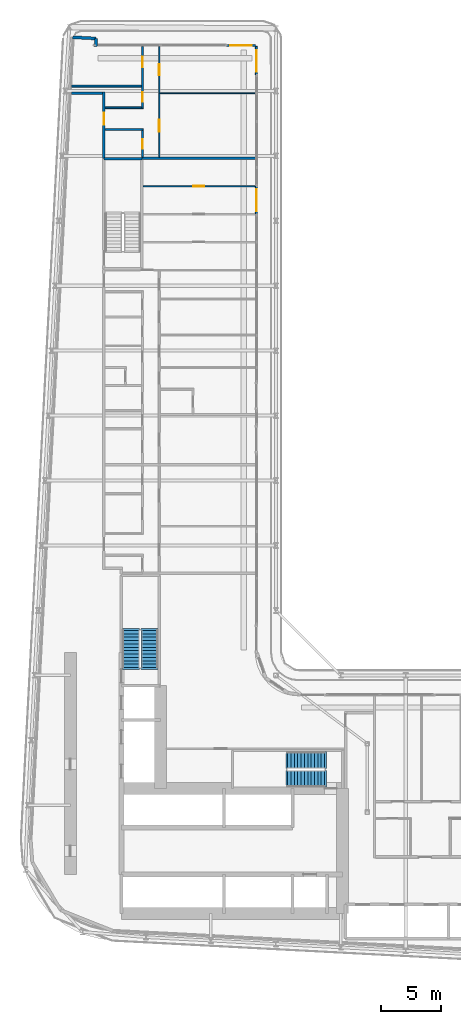
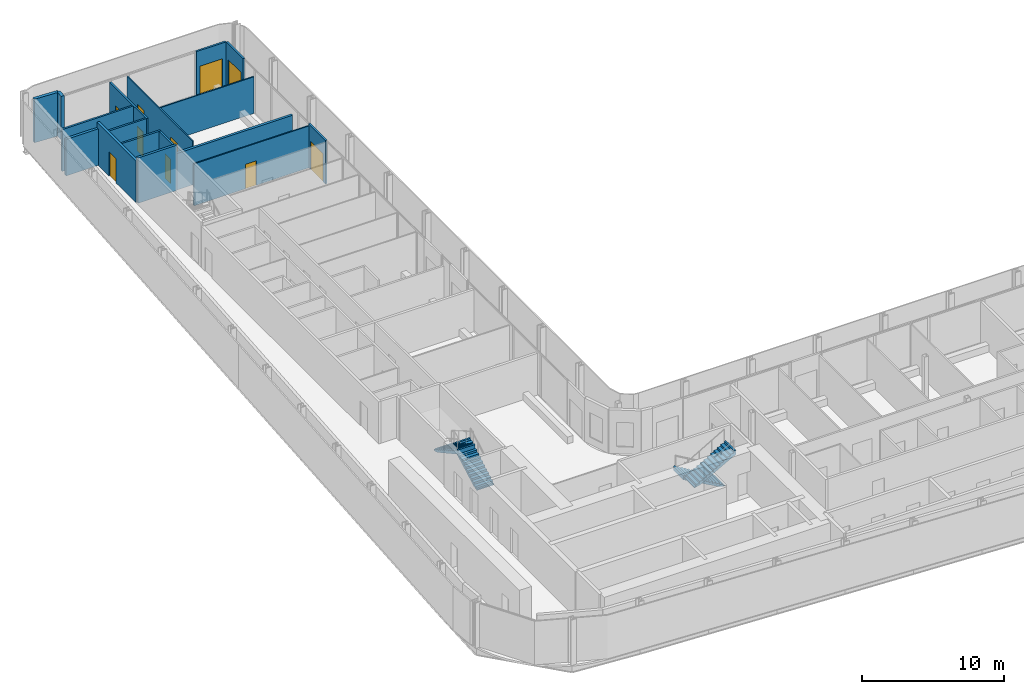
# One storey, part 19 of 27: 17 walls, 10 doors, 4 stair flights, 10 openings, 2 elements without a shape of their own.
"""IFC4 building model written with IfcOpenShell, lengths in metres."""

from ifc_helpers import new_model, si_unit, direction, frame, frame_2d, origin, place, context, subcontext, project, spatial, polyline, rectangle, outline, extrude, source, transform, mapped, material, layer, layer_set, type_object, element, fill, aggregate, save


model = new_model("IFC4")

# Units and contexts
model_context = context("Model", 3, precision=1e-05, world=origin(), true_north=direction((0.0, 1.0)))
body_context = subcontext(model_context, "Body", "Model", "MODEL_VIEW")
ifc_project = project(units=[si_unit("LENGTHUNIT", "METRE"), si_unit("AREAUNIT", "SQUARE_METRE"), si_unit("VOLUMEUNIT", "CUBIC_METRE"), si_unit("PLANEANGLEUNIT", "RADIAN"), si_unit("MASSUNIT", "GRAM", prefix="KILO")], contexts=[model_context])

# Site, building, storey
site_placement = place(None, origin())
site = spatial("IfcSite", under=ifc_project, at=site_placement, CompositionType="ELEMENT")
building_placement = place(site_placement, origin())
building = spatial("IfcBuilding", under=site, at=building_placement, Name="Kheshtan School and Residences Tower", CompositionType="ELEMENT")
storey_placement = place(building_placement, frame((0.0, 0.0, 46.10009765625)))
storey = spatial("IfcBuildingStorey", under=building, at=storey_placement, Name="L10", CompositionType="ELEMENT", Elevation=46.10009765625)

# Wall
ifc_material_1 = material(Name="Gypsum board on steel studs with fire boards", Category="steel")
ifc_layer_1 = layer(ifc_material_1, 0.199951171875)
ifc_layer_set_1 = layer_set([ifc_layer_1], Name="Corridor wall 200")
wall_type_1 = type_object("IfcWallType", Name="Corridor wall 200", PredefinedType="PARTITIONING", material=ifc_layer_set_1)
wall_1_placement = place(storey_placement, frame((30.584716796875, 94.0, 0.0), z_axis=(0.0, 0.0, 1.0), x_axis=(1.0, 0.0, 0.0)))
element("IfcWall", 1, at=wall_1_placement, inside=storey, type_object=wall_type_1, Name="Partition L10-002", PredefinedType="PARTITIONING", context=body_context, shape_type="SweptSolid", body=[
    extrude(rectangle(XDim=2.615234375, YDim=0.199951171875, at=frame_2d((1.3076171875, 0.0))), origin(), (0.0, 0.0, 1.0), 3.14697265625),
])

# Wall, opening, door
wall_2_placement = place(storey_placement, frame((33.300048828125, 88.60009765625, 0.0), z_axis=(0.0, 0.0, 1.0), x_axis=(0.0, 1.0, 0.0)))
wall_2 = element("IfcWall", 2, at=wall_2_placement, inside=storey, type_object=wall_type_1, Name="Partition L10-004", PredefinedType="PARTITIONING", context=body_context, shape_type="SweptSolid", body=[
    extrude(rectangle(XDim=5.5, YDim=0.199951171875, at=frame_2d((2.75, 0.0))), origin(), (0.0, 0.0, 1.0), 3.599853515625),
])
opening_1_placement = place(wall_2_placement, frame((2.800048828125, 0.0, 0.0)))
opening_1 = element("IfcOpeningElement", 3, at=opening_1_placement, cuts=wall_2, Name="Opening D10-052", PredefinedType="OPENING", context=body_context, shape_type="SweptSolid", body=[
    extrude(rectangle(XDim=1.0, YDim=2.10009765625, at=frame_2d((0.5, 1.050048828125))), frame((0.0, 0.10986328125, 0.0), z_axis=(0.0, -1.0, 0.0), x_axis=(1.0, 0.0, 0.0)), (0.0, 0.0, 1.0), 0.219970703125),
])
ifc_material_2 = material(Name="Steel-framed fire-resisting door leaf", Category="steel")
door_type_1 = type_object("IfcDoorType", Name="Fire door FD30S 1000 x 2100", OperationType="SINGLE_SWING_LEFT", PredefinedType="DOOR", material=ifc_material_2)
shared_shape_1 = source(origin(), body_context, "Body", "SweptSolid", [
    extrude(rectangle(XDim=1.0, YDim=2.10009765625, at=frame_2d((0.5, 1.050048828125))), frame((0.0, 0.02490234375, 0.0), z_axis=(0.0, -1.0, 0.0), x_axis=(1.0, 0.0, 0.0)), (0.0, 0.0, 1.0), 0.050048828125),
])
door_1_placement = place(opening_1_placement, origin())
door_1 = element("IfcDoor", 4, at=door_1_placement, inside=storey, type_object=door_type_1, Name="Door D10-052", OperationType="SINGLE_SWING_LEFT", OverallHeight=2.10009765625, OverallWidth=1.0, PredefinedType="DOOR", context=body_context, shape_type="MappedRepresentation", body=[
    mapped(shared_shape_1, transform((0.0, 0.0, 0.0), x_axis=(1.0, 0.0, 0.0), y_axis=(0.0, 1.0, 0.0), z_axis=(0.0, 0.0, 1.0), scale=1.0)),
])
fill(opening_1, door_1)

# Walls
ifc_material_3 = material(Name="Concrete C40/50 with ceramic cladding and mineral wool insulation", Category="concrete")
ifc_layer_2 = layer(ifc_material_3, 0.25)
ifc_layer_set_2 = layer_set([ifc_layer_2], Name="External wall 250 ceramic clad")
wall_type_2 = type_object("IfcWallType", Name="External wall 250 ceramic clad", PredefinedType="SOLIDWALL", material=ifc_layer_set_2)
wall_3_placement = place(storey_placement, frame((30.705078125, 98.6640625, 0.0), z_axis=(0.0, 0.0, 1.0), x_axis=(0.998577785791, -0.053314216913, 0.0)))
element("IfcWall", 5, at=wall_3_placement, inside=storey, type_object=wall_type_2, Name="External wall L10 5", PredefinedType="SOLIDWALL", context=body_context, shape_type="SweptSolid", body=[
    extrude(rectangle(XDim=1.95068359375, YDim=0.25, at=frame_2d((0.975341796875, 0.0))), origin(), (0.0, 0.0, 1.0), 3.75),
])
wall_4_placement = place(storey_placement, frame((32.653076171875, 98.56005859375, 0.0), z_axis=(0.0, 0.0, 1.0), x_axis=(-0.054093451632, -0.998535877418, 0.0)))
element("IfcWall", 6, at=wall_4_placement, inside=storey, type_object=wall_type_2, Name="External wall L10 6", PredefinedType="SOLIDWALL", context=body_context, shape_type="SweptSolid", body=[
    extrude(rectangle(XDim=0.66796875, YDim=0.25, at=frame_2d((0.333984375, 0.0))), origin(), (0.0, 0.0, 1.0), 3.75),
])

# Wall, opening, door
ifc_material_4 = material(Name="Aluminium frame wall with insulated infill", Category="aluminium")
ifc_layer_3 = layer(ifc_material_4, 0.14990234375)
ifc_layer_set_3 = layer_set([ifc_layer_3], Name="Glazing frame wall 150")
wall_type_3 = type_object("IfcWallType", Name="Glazing frame wall 150", PredefinedType="SOLIDWALL", material=ifc_layer_set_3)
wall_5_placement = place(storey_placement, frame((43.5, 97.97509765625, 0.0), z_axis=(0.0, 0.0, 1.0), x_axis=(1.0, 0.0, 0.0)))
wall_5 = element("IfcWall", 7, at=wall_5_placement, inside=storey, type_object=wall_type_3, Name="Balcony door wall L10 7.1", PredefinedType="SOLIDWALL", context=body_context, shape_type="SweptSolid", body=[
    extrude(rectangle(XDim=2.39990234375, YDim=0.14990234375, at=frame_2d((1.199951171875, 0.0))), origin(), (0.0, 0.0, 1.0), 3.75),
])
opening_2_placement = place(wall_5_placement, frame((0.300048828125, 0.0, 0.0)))
opening_2 = element("IfcOpeningElement", 8, at=opening_2_placement, cuts=wall_5, Name="Opening BD", PredefinedType="OPENING", context=body_context, shape_type="SweptSolid", body=[
    extrude(rectangle(XDim=1.800048828125, YDim=2.39990234375, at=frame_2d((0.89990234375, 1.199951171875))), frame((0.0, 0.0849609375, 0.0), z_axis=(0.0, -1.0, 0.0), x_axis=(1.0, 0.0, 0.0)), (0.0, 0.0, 1.0), 0.169921875),
])
ifc_material_5 = material(Name="Clear low-e glass in thermally broken aluminium frame", Category="aluminium")
door_type_2 = type_object("IfcDoorType", Name="Balcony sliding door", OperationType="SLIDING_TO_LEFT", PredefinedType="DOOR", material=ifc_material_5)
shared_shape_2 = source(origin(), body_context, "Body", "SweptSolid", [
    extrude(rectangle(XDim=1.800048828125, YDim=2.39990234375, at=frame_2d((0.89990234375, 1.199951171875))), frame((0.0, 0.02490234375, 0.0), z_axis=(0.0, -1.0, 0.0), x_axis=(1.0, 0.0, 0.0)), (0.0, 0.0, 1.0), 0.050048828125),
])
door_2_placement = place(opening_2_placement, origin())
door_2 = element("IfcDoor", 9, at=door_2_placement, inside=storey, type_object=door_type_2, Name="Balcony door L10 7.1", OperationType="SLIDING_TO_LEFT", OverallHeight=2.39990234375, OverallWidth=1.800048828125, PredefinedType="DOOR", context=body_context, shape_type="MappedRepresentation", body=[
    mapped(shared_shape_2, transform((0.0, 0.0, 0.0), x_axis=(1.0, 0.0, 0.0), y_axis=(0.0, 1.0, 0.0), z_axis=(0.0, 0.0, 1.0), scale=1.0)),
])
fill(opening_2, door_2)

wall_6_placement = place(storey_placement, frame((45.97509765625, 97.89990234375, 0.0), z_axis=(0.0, 0.0, 1.0), x_axis=(0.0, -1.0, 0.0)))
wall_6 = element("IfcWall", 10, at=wall_6_placement, inside=storey, type_object=wall_type_3, Name="Balcony door wall L10 8.1", PredefinedType="SOLIDWALL", context=body_context, shape_type="SweptSolid", body=[
    extrude(rectangle(XDim=2.39990234375, YDim=0.14990234375, at=frame_2d((1.199951171875, 0.0))), origin(), (0.0, 0.0, 1.0), 3.75),
])
opening_3_placement = place(wall_6_placement, frame((0.300048828125, 0.0, 0.0)))
opening_3 = element("IfcOpeningElement", 11, at=opening_3_placement, cuts=wall_6, Name="Opening BD", PredefinedType="OPENING", context=body_context, shape_type="SweptSolid", body=[
    extrude(rectangle(XDim=1.800048828125, YDim=2.39990234375, at=frame_2d((0.89990234375, 1.199951171875))), frame((0.0, 0.0849609375, 0.0), z_axis=(0.0, -1.0, 0.0), x_axis=(1.0, 0.0, 0.0)), (0.0, 0.0, 1.0), 0.169921875),
])
door_3_placement = place(opening_3_placement, origin())
door_3 = element("IfcDoor", 12, at=door_3_placement, inside=storey, type_object=door_type_2, Name="Balcony door L10 8.1", OperationType="SLIDING_TO_LEFT", OverallHeight=2.39990234375, OverallWidth=1.800048828125, PredefinedType="DOOR", context=body_context, shape_type="MappedRepresentation", body=[
    mapped(shared_shape_2, transform((0.0, 0.0, 0.0), x_axis=(1.0, 0.0, 0.0), y_axis=(0.0, 1.0, 0.0), z_axis=(0.0, 0.0, 1.0), scale=1.0)),
])
fill(opening_3, door_3)

wall_7_placement = place(storey_placement, frame((45.97509765625, 86.305908203125, 0.0), z_axis=(0.0, 0.0, 1.0), x_axis=(0.0, -1.0, 0.0)))
wall_7 = element("IfcWall", 13, at=wall_7_placement, inside=storey, type_object=wall_type_3, Name="Balcony door wall L10 8.2", PredefinedType="SOLIDWALL", context=body_context, shape_type="SweptSolid", body=[
    extrude(rectangle(XDim=2.39990234375, YDim=0.14990234375, at=frame_2d((1.199951171875, 0.0))), origin(), (0.0, 0.0, 1.0), 3.75),
])
opening_4_placement = place(wall_7_placement, frame((0.300048828125, 0.0, 0.0)))
opening_4 = element("IfcOpeningElement", 14, at=opening_4_placement, cuts=wall_7, Name="Opening BD", PredefinedType="OPENING", context=body_context, shape_type="SweptSolid", body=[
    extrude(rectangle(XDim=1.800048828125, YDim=2.39990234375, at=frame_2d((0.89990234375, 1.199951171875))), frame((0.0, 0.0849609375, 0.0), z_axis=(0.0, -1.0, 0.0), x_axis=(1.0, 0.0, 0.0)), (0.0, 0.0, 1.0), 0.169921875),
])
door_4_placement = place(opening_4_placement, origin())
door_4 = element("IfcDoor", 15, at=door_4_placement, inside=storey, type_object=door_type_2, Name="Balcony door L10 8.2", OperationType="SLIDING_TO_LEFT", OverallHeight=2.39990234375, OverallWidth=1.800048828125, PredefinedType="DOOR", context=body_context, shape_type="MappedRepresentation", body=[
    mapped(shared_shape_2, transform((0.0, 0.0, 0.0), x_axis=(1.0, 0.0, 0.0), y_axis=(0.0, 1.0, 0.0), z_axis=(0.0, 0.0, 1.0), scale=1.0)),
])
fill(opening_4, door_4)

ifc_material_6 = material(Name="Gypsum board on steel studs", Category="steel")
ifc_layer_4 = layer(ifc_material_6, 0.10009765625)
ifc_layer_set_4 = layer_set([ifc_layer_4], Name="Gypsum partition 100")
wall_type_4 = type_object("IfcWallType", Name="Gypsum partition 100", PredefinedType="PARTITIONING", material=ifc_layer_set_4)
wall_8_placement = place(storey_placement, frame((36.549072265625, 86.27490234375, 0.0), z_axis=(0.0, 0.0, 1.0), x_axis=(1.0, 0.0, 0.0)))
wall_8 = element("IfcWall", 16, at=wall_8_placement, inside=storey, type_object=wall_type_4, Name="Partition L10-032", PredefinedType="PARTITIONING", context=body_context, shape_type="SweptSolid", body=[
    extrude(rectangle(XDim=9.350830078125, YDim=0.10009765625, at=frame_2d((4.67529296875, 0.0))), origin(), (0.0, 0.0, 1.0), 3.599853515625),
])
opening_5_placement = place(wall_8_placement, frame((4.176025390625, 0.0, 0.0)))
opening_5 = element("IfcOpeningElement", 17, at=opening_5_placement, cuts=wall_8, Name="Opening D10-049", PredefinedType="OPENING", context=body_context, shape_type="SweptSolid", body=[
    extrude(rectangle(XDim=0.89990234375, YDim=2.10009765625, at=frame_2d((0.449951171875, 1.050048828125))), frame((0.0, 0.06005859375, 0.0), z_axis=(0.0, -1.0, 0.0), x_axis=(1.0, 0.0, 0.0)), (0.0, 0.0, 1.0), 0.1201171875),
])
ifc_material_7 = material(Name="Veneered timber door leaf", Category="wood")
door_type_3 = type_object("IfcDoorType", Name="Door 900 x 2100", OperationType="SINGLE_SWING_LEFT", PredefinedType="DOOR", material=ifc_material_7)
shared_shape_3 = source(origin(), body_context, "Body", "SweptSolid", [
    extrude(rectangle(XDim=0.89990234375, YDim=2.10009765625, at=frame_2d((0.449951171875, 1.050048828125))), frame((0.0, 0.02490234375, 0.0), z_axis=(0.0, -1.0, 0.0), x_axis=(1.0, 0.0, 0.0)), (0.0, 0.0, 1.0), 0.050048828125),
])
door_5_placement = place(opening_5_placement, origin())
door_5 = element("IfcDoor", 18, at=door_5_placement, inside=storey, type_object=door_type_3, Name="Door D10-049", OperationType="SINGLE_SWING_RIGHT", OverallHeight=2.10009765625, OverallWidth=0.89990234375, PredefinedType="DOOR", context=body_context, shape_type="MappedRepresentation", body=[
    mapped(shared_shape_3, transform((0.0, 0.0, 0.0), x_axis=(1.0, 0.0, 0.0), y_axis=(0.0, 1.0, 0.0), z_axis=(0.0, 0.0, 1.0), scale=1.0)),
])
fill(opening_5, door_5)

# Wall, openings, doors
wall_9_placement = place(storey_placement, frame((37.89990234375, 88.699951171875, 0.0), z_axis=(0.0, 0.0, 1.0), x_axis=(0.0, 1.0, 0.0)))
wall_9 = element("IfcWall", 19, at=wall_9_placement, inside=storey, type_object=wall_type_4, Name="Partition L10-035", PredefinedType="PARTITIONING", context=body_context, shape_type="SweptSolid", body=[
    extrude(rectangle(XDim=9.199951171875, YDim=0.10009765625, at=frame_2d((4.60009765625, 0.0))), origin(), (0.0, 0.0, 1.0), 3.599853515625),
])
opening_6_placement = place(wall_9_placement, frame((6.800048828125, 0.0, 0.0)))
opening_6 = element("IfcOpeningElement", 20, at=opening_6_placement, cuts=wall_9, Name="Opening D10-051", PredefinedType="OPENING", context=body_context, shape_type="SweptSolid", body=[
    extrude(rectangle(XDim=0.89990234375, YDim=2.10009765625, at=frame_2d((0.449951171875, 1.050048828125))), frame((0.0, 0.06005859375, 0.0), z_axis=(0.0, -1.0, 0.0), x_axis=(1.0, 0.0, 0.0)), (0.0, 0.0, 1.0), 0.1201171875),
])
opening_7_placement = place(wall_9_placement, frame((2.10009765625, 0.0, 0.0)))
opening_7 = element("IfcOpeningElement", 21, at=opening_7_placement, cuts=wall_9, Name="Opening D10-054", PredefinedType="OPENING", context=body_context, shape_type="SweptSolid", body=[
    extrude(rectangle(XDim=1.0, YDim=2.10009765625, at=frame_2d((0.5, 1.050048828125))), frame((0.0, 0.06005859375, 0.0), z_axis=(0.0, -1.0, 0.0), x_axis=(1.0, 0.0, 0.0)), (0.0, 0.0, 1.0), 0.1201171875),
])
door_type_4 = type_object("IfcDoorType", Name="Door 1000 x 2100", OperationType="SINGLE_SWING_LEFT", PredefinedType="DOOR", material=ifc_material_7)
shared_shape_4 = source(origin(), body_context, "Body", "SweptSolid", [
    extrude(rectangle(XDim=1.0, YDim=2.10009765625, at=frame_2d((0.5, 1.050048828125))), frame((0.0, 0.02490234375, 0.0), z_axis=(0.0, -1.0, 0.0), x_axis=(1.0, 0.0, 0.0)), (0.0, 0.0, 1.0), 0.050048828125),
])
door_6_placement = place(opening_7_placement, origin())
door_6 = element("IfcDoor", 22, at=door_6_placement, inside=storey, type_object=door_type_4, Name="Door D10-054", OperationType="SINGLE_SWING_LEFT", OverallHeight=2.10009765625, OverallWidth=1.0, PredefinedType="DOOR", context=body_context, shape_type="MappedRepresentation", body=[
    mapped(shared_shape_4, transform((0.0, 0.0, 0.0), x_axis=(1.0, 0.0, 0.0), y_axis=(0.0, 1.0, 0.0), z_axis=(0.0, 0.0, 1.0), scale=1.0)),
])
fill(opening_7, door_6)
door_7_placement = place(opening_6_placement, origin())
door_7 = element("IfcDoor", 23, at=door_7_placement, inside=storey, type_object=door_type_3, Name="Door D10-051", OperationType="SINGLE_SWING_RIGHT", OverallHeight=2.10009765625, OverallWidth=0.89990234375, PredefinedType="DOOR", context=body_context, shape_type="MappedRepresentation", body=[
    mapped(shared_shape_3, transform((0.0, 0.0, 0.0), x_axis=(1.0, 0.0, 0.0), y_axis=(0.0, 1.0, 0.0), z_axis=(0.0, 0.0, 1.0), scale=1.0)),
])
fill(opening_6, door_7)

# Walls
wall_10_placement = place(storey_placement, frame((37.949951171875, 94.0, 0.0), z_axis=(0.0, 0.0, 1.0), x_axis=(1.0, 0.0, 0.0)))
element("IfcWall", 24, at=wall_10_placement, inside=storey, type_object=wall_type_4, Name="Partition L10-036", PredefinedType="PARTITIONING", context=body_context, shape_type="SweptSolid", body=[
    extrude(rectangle(XDim=7.949951171875, YDim=0.10009765625, at=frame_2d((3.97509765625, 0.0))), origin(), (0.0, 0.0, 1.0), 3.14697265625),
])
ifc_material_8 = material(Name="Concrete C40/50", Category="concrete")
ifc_layer_5 = layer(ifc_material_8, 0.199951171875)
ifc_layer_set_5 = layer_set([ifc_layer_5], Name="Stair enclosure wall 200 Concrete C40/50")
wall_type_5 = type_object("IfcWallType", Name="Stair enclosure wall 200 Concrete C40/50", PredefinedType="SHEAR", material=ifc_layer_set_5)
wall_11_placement = place(storey_placement, frame((33.300048828125, 88.56005859375, 0.0), z_axis=(0.0, 0.0, 1.0), x_axis=(1.0, 0.0, 0.0)))
element("IfcWall", 25, at=wall_11_placement, inside=storey, type_object=wall_type_5, Name="Stair enclosure wall ST3", PredefinedType="SHEAR", context=body_context, shape_type="SweptSolid", body=[
    extrude(rectangle(XDim=3.14990234375, YDim=0.199951171875, at=frame_2d((1.574951171875, 0.0))), origin(), (0.0, 0.0, 1.0), 3.89990234375),
])
ifc_material_9 = material(Name="Twin gypsum board on steel studs with mineral wool", Category="steel")
ifc_layer_6 = layer(ifc_material_9, 0.199951171875)
ifc_layer_set_6 = layer_set([ifc_layer_6], Name="Unit demising wall 200")
wall_type_6 = type_object("IfcWallType", Name="Unit demising wall 200", PredefinedType="PARTITIONING", material=ifc_layer_set_6)
wall_12_placement = place(storey_placement, frame((36.425048828125, 88.60009765625, 0.0), z_axis=(0.0, 0.0, 1.0), x_axis=(1.0, 0.0, 0.0)))
element("IfcWall", 26, at=wall_12_placement, inside=storey, type_object=wall_type_6, Name="Partition L10-023", PredefinedType="PARTITIONING", context=body_context, shape_type="SweptSolid", body=[
    extrude(rectangle(XDim=9.474853515625, YDim=0.199951171875, at=frame_2d((4.7373046875, 0.0))), origin(), (0.0, 0.0, 1.0), 3.14697265625),
])
ifc_material_10 = material(Name="Moisture-resistant gypsum board on steel studs", Category="steel")
ifc_layer_7 = layer(ifc_material_10, 0.14990234375)
ifc_layer_set_7 = layer_set([ifc_layer_7], Name="Wet-room partition 150")
wall_type_7 = type_object("IfcWallType", Name="Wet-room partition 150", PredefinedType="PARTITIONING", material=ifc_layer_set_7)
wall_13_placement = place(storey_placement, frame((30.616943359375, 94.60009765625, 0.0), z_axis=(0.0, 0.0, 1.0), x_axis=(1.0, 0.0, 0.0)))
element("IfcWall", 27, at=wall_13_placement, inside=storey, type_object=wall_type_7, Name="Partition L10-001", PredefinedType="PARTITIONING", context=body_context, shape_type="SweptSolid", body=[
    extrude(rectangle(XDim=5.80810546875, YDim=0.14990234375, at=frame_2d((2.904052734375, 0.0))), origin(), (0.0, 0.0, 1.0), 3.599853515625),
])
wall_14_placement = place(storey_placement, frame((33.39990234375, 91.0, 0.0), z_axis=(0.0, 0.0, 1.0), x_axis=(1.0, 0.0, 0.0)))
element("IfcWall", 28, at=wall_14_placement, inside=storey, type_object=wall_type_7, Name="Partition L10-018", PredefinedType="PARTITIONING", context=body_context, shape_type="SweptSolid", body=[
    extrude(rectangle(XDim=3.175048828125, YDim=0.14990234375, at=frame_2d((1.58740234375, 0.0))), origin(), (0.0, 0.0, 1.0), 3.599853515625),
])
wall_15_placement = place(storey_placement, frame((33.39990234375, 92.800048828125, 0.0), z_axis=(0.0, 0.0, 1.0), x_axis=(1.0, 0.0, 0.0)))
element("IfcWall", 29, at=wall_15_placement, inside=storey, type_object=wall_type_7, Name="Partition L10-019", PredefinedType="PARTITIONING", context=body_context, shape_type="SweptSolid", body=[
    extrude(rectangle(XDim=3.025146484375, YDim=0.14990234375, at=frame_2d((1.5126953125, 0.0))), origin(), (0.0, 0.0, 1.0), 3.599853515625),
])

# Wall, opening, door
wall_16_placement = place(storey_placement, frame((36.5, 88.699951171875, 0.0), z_axis=(0.0, 0.0, 1.0), x_axis=(0.0, 1.0, 0.0)))
wall_16 = element("IfcWall", 30, at=wall_16_placement, inside=storey, type_object=wall_type_7, Name="Partition L10-028", PredefinedType="PARTITIONING", context=body_context, shape_type="SweptSolid", body=[
    extrude(rectangle(XDim=2.22509765625, YDim=0.14990234375, at=frame_2d((1.112548828125, 0.0))), origin(), (0.0, 0.0, 1.0), 3.599853515625),
])
opening_8_placement = place(wall_16_placement, frame((0.699951171875, 0.0, 0.0)))
opening_8 = element("IfcOpeningElement", 31, at=opening_8_placement, cuts=wall_16, Name="Opening D10-050", PredefinedType="OPENING", context=body_context, shape_type="SweptSolid", body=[
    extrude(rectangle(XDim=0.800048828125, YDim=2.10009765625, at=frame_2d((0.39990234375, 1.050048828125))), frame((0.0, 0.0849609375, 0.0), z_axis=(0.0, -1.0, 0.0), x_axis=(1.0, 0.0, 0.0)), (0.0, 0.0, 1.0), 0.169921875),
])
door_type_5 = type_object("IfcDoorType", Name="Door 800 x 2100", OperationType="SINGLE_SWING_LEFT", PredefinedType="DOOR", material=ifc_material_7)
shared_shape_5 = source(origin(), body_context, "Body", "SweptSolid", [
    extrude(rectangle(XDim=0.800048828125, YDim=2.10009765625, at=frame_2d((0.39990234375, 1.050048828125))), frame((0.0, 0.02490234375, 0.0), z_axis=(0.0, -1.0, 0.0), x_axis=(1.0, 0.0, 0.0)), (0.0, 0.0, 1.0), 0.050048828125),
])
door_8_placement = place(opening_8_placement, origin())
door_8 = element("IfcDoor", 32, at=door_8_placement, inside=storey, type_object=door_type_5, Name="Door D10-050", OperationType="SINGLE_SWING_LEFT", OverallHeight=2.10009765625, OverallWidth=0.800048828125, PredefinedType="DOOR", context=body_context, shape_type="MappedRepresentation", body=[
    mapped(shared_shape_5, transform((0.0, 0.0, 0.0), x_axis=(1.0, 0.0, 0.0), y_axis=(0.0, 1.0, 0.0), z_axis=(0.0, 0.0, 1.0), scale=1.0)),
])
fill(opening_8, door_8)

# Wall, openings, doors
wall_17_placement = place(storey_placement, frame((36.5, 92.72509765625, 0.0), z_axis=(0.0, 0.0, 1.0), x_axis=(0.0, 1.0, 0.0)))
wall_17 = element("IfcWall", 33, at=wall_17_placement, inside=storey, type_object=wall_type_7, Name="Partition L10-029", PredefinedType="PARTITIONING", context=body_context, shape_type="SweptSolid", body=[
    extrude(rectangle(XDim=5.1748046875, YDim=0.14990234375, at=frame_2d((2.58740234375, 0.0))), origin(), (0.0, 0.0, 1.0), 3.599853515625),
])
opening_9_placement = place(wall_17_placement, frame((3.425048828125, 0.0, 0.0)))
opening_9 = element("IfcOpeningElement", 34, at=opening_9_placement, cuts=wall_17, Name="Opening D10-053", PredefinedType="OPENING", context=body_context, shape_type="SweptSolid", body=[
    extrude(rectangle(XDim=0.89990234375, YDim=2.10009765625, at=frame_2d((0.449951171875, 1.050048828125))), frame((0.0, 0.0849609375, 0.0), z_axis=(0.0, -1.0, 0.0), x_axis=(1.0, 0.0, 0.0)), (0.0, 0.0, 1.0), 0.169921875),
])
opening_10_placement = place(wall_17_placement, frame((0.574951171875, 0.0, 0.0)))
opening_10 = element("IfcOpeningElement", 35, at=opening_10_placement, cuts=wall_17, Name="Opening D10-055", PredefinedType="OPENING", context=body_context, shape_type="SweptSolid", body=[
    extrude(rectangle(XDim=0.800048828125, YDim=2.10009765625, at=frame_2d((0.39990234375, 1.050048828125))), frame((0.0, 0.0849609375, 0.0), z_axis=(0.0, -1.0, 0.0), x_axis=(1.0, 0.0, 0.0)), (0.0, 0.0, 1.0), 0.169921875),
])
door_9_placement = place(opening_10_placement, origin())
door_9 = element("IfcDoor", 36, at=door_9_placement, inside=storey, type_object=door_type_5, Name="Door D10-055", OperationType="SINGLE_SWING_RIGHT", OverallHeight=2.10009765625, OverallWidth=0.800048828125, PredefinedType="DOOR", context=body_context, shape_type="MappedRepresentation", body=[
    mapped(shared_shape_5, transform((0.0, 0.0, 0.0), x_axis=(1.0, 0.0, 0.0), y_axis=(0.0, 1.0, 0.0), z_axis=(0.0, 0.0, 1.0), scale=1.0)),
])
fill(opening_10, door_9)
door_10_placement = place(opening_9_placement, origin())
door_10 = element("IfcDoor", 37, at=door_10_placement, inside=storey, type_object=door_type_3, Name="Door D10-053", OperationType="SINGLE_SWING_RIGHT", OverallHeight=2.10009765625, OverallWidth=0.89990234375, PredefinedType="DOOR", context=body_context, shape_type="MappedRepresentation", body=[
    mapped(shared_shape_3, transform((0.0, 0.0, 0.0), x_axis=(1.0, 0.0, 0.0), y_axis=(0.0, 1.0, 0.0), z_axis=(0.0, 0.0, 1.0), scale=1.0)),
])
fill(opening_9, door_10)

# Stair, stair flights
stair_type = type_object("IfcStairType", Name="Exit stair, half-turn", PredefinedType="HALF_TURN_STAIR", material=ifc_material_8)
stair_1_placement = place(storey_placement, origin())
stair_1 = element("IfcStair", 38, at=stair_1_placement, inside=storey, type_object=stair_type, Name="L10 Protected Exit Stair ST1", PredefinedType="HALF_TURN_STAIR")
ifc_layer_8 = layer(ifc_material_8, 0.14990234375)
ifc_layer_set_8 = layer_set([ifc_layer_8], Name="Stair flight 1400 Concrete C40/50")
stair_flight_type = type_object("IfcStairFlightType", Name="Stair flight 1400 Concrete C40/50", PredefinedType="STRAIGHT", material=ifc_layer_set_8)
stair_flight_1_placement = place(storey_placement, frame((51.64990234375, 38.550048828125, 0.0), z_axis=(0.0, 0.0, 1.0), x_axis=(-1.0, 0.0, 0.0)))
stair_flight_1 = element("IfcStairFlight", 39, at=stair_flight_1_placement, type_object=stair_flight_type, Name="ST1 flight 1", NumberOfRisers=12, NumberOfTreads=11, PredefinedType="STRAIGHT", RiserHeight=0.1625, TreadLength=0.28, context=body_context, shape_type="SweptSolid", body=[
    extrude(outline(polyline([(-0.14990234375, -0.10009765625), (-0.14990234375, 0.0), (0.0, 0.0), (0.0, 0.16259765625), (0.280029296875, 0.16259765625), (0.280029296875, 0.324951171875), (0.56005859375, 0.324951171875), (0.56005859375, 0.487548828125), (0.840087890625, 0.487548828125), (0.840087890625, 0.64990234375), (1.1201171875, 0.64990234375), (1.1201171875, 0.8125), (1.39990234375, 0.8125), (1.39990234375, 0.97509765625), (1.679931640625, 0.97509765625), (1.679931640625, 1.137451171875), (1.9599609375, 1.137451171875), (1.9599609375, 1.300048828125), (2.239990234375, 1.300048828125), (2.239990234375, 1.46240234375), (2.52001953125, 1.46240234375), (2.52001953125, 1.625), (2.800048828125, 1.625), (2.800048828125, 1.78759765625), (3.080078125, 1.78759765625), (3.080078125, 1.949951171875), (3.080078125, 1.969970703125), (3.22998046875, 1.969970703125), (3.22998046875, 1.6142578125), (0.298583984375, 0.0), (-0.14990234375, -0.10009765625)])), frame((0.0, 0.699951171875, 0.0), z_axis=(0.0, -1.0, 0.0), x_axis=(1.0, 0.0, 0.0)), (0.0, 0.0, 1.0), 1.39990234375),
])
stair_flight_2_placement = place(storey_placement, frame((48.570068359375, 37.0, 1.949951171875), z_axis=(0.0, 0.0, 1.0), x_axis=(1.0, 0.0, 0.0)))
stair_flight_2 = element("IfcStairFlight", 40, at=stair_flight_2_placement, type_object=stair_flight_type, Name="ST1 flight 2", NumberOfRisers=12, NumberOfTreads=11, PredefinedType="STRAIGHT", RiserHeight=0.1625, TreadLength=0.28, context=body_context, shape_type="SweptSolid", body=[
    extrude(outline(polyline([(-0.14990234375, -0.10009765625), (-0.14990234375, 0.0), (0.0, 0.0), (0.0, 0.16259765625), (0.280029296875, 0.16259765625), (0.280029296875, 0.324951171875), (0.56005859375, 0.324951171875), (0.56005859375, 0.487548828125), (0.840087890625, 0.487548828125), (0.840087890625, 0.64990234375), (1.1201171875, 0.64990234375), (1.1201171875, 0.8125), (1.39990234375, 0.8125), (1.39990234375, 0.97509765625), (1.679931640625, 0.97509765625), (1.679931640625, 1.137451171875), (1.9599609375, 1.137451171875), (1.9599609375, 1.300048828125), (2.239990234375, 1.300048828125), (2.239990234375, 1.46240234375), (2.52001953125, 1.46240234375), (2.52001953125, 1.625), (2.800048828125, 1.625), (2.800048828125, 1.78759765625), (3.080078125, 1.78759765625), (3.080078125, 1.949951171875), (3.080078125, 1.969970703125), (3.22998046875, 1.969970703125), (3.22998046875, 1.6142578125), (0.298583984375, 0.0), (-0.14990234375, -0.10009765625)])), frame((0.0, 0.699951171875, 0.0), z_axis=(0.0, -1.0, 0.0), x_axis=(1.0, 0.0, 0.0)), (0.0, 0.0, 1.0), 1.39990234375),
])
aggregate(stair_1, [stair_flight_1, stair_flight_2])

stair_2_placement = place(storey_placement, origin())
stair_2 = element("IfcStair", 41, at=stair_2_placement, inside=storey, type_object=stair_type, Name="L10 Protected Exit Stair ST2", PredefinedType="HALF_TURN_STAIR")
stair_flight_3_placement = place(storey_placement, frame((37.10009765625, 46.25, 0.0), z_axis=(0.0, 0.0, 1.0), x_axis=(0.0, 1.0, 0.0)))
stair_flight_3 = element("IfcStairFlight", 42, at=stair_flight_3_placement, type_object=stair_flight_type, Name="ST2 flight 1", NumberOfRisers=12, NumberOfTreads=11, PredefinedType="STRAIGHT", RiserHeight=0.1625, TreadLength=0.28, context=body_context, shape_type="SweptSolid", body=[
    extrude(outline(polyline([(-0.14990234375, -0.10009765625), (-0.14990234375, 0.0), (0.0, 0.0), (0.0, 0.16259765625), (0.280029296875, 0.16259765625), (0.280029296875, 0.324951171875), (0.56005859375, 0.324951171875), (0.56005859375, 0.487548828125), (0.840087890625, 0.487548828125), (0.840087890625, 0.64990234375), (1.1201171875, 0.64990234375), (1.1201171875, 0.8125), (1.39990234375, 0.8125), (1.39990234375, 0.97509765625), (1.679931640625, 0.97509765625), (1.679931640625, 1.137451171875), (1.9599609375, 1.137451171875), (1.9599609375, 1.300048828125), (2.239990234375, 1.300048828125), (2.239990234375, 1.46240234375), (2.52001953125, 1.46240234375), (2.52001953125, 1.625), (2.800048828125, 1.625), (2.800048828125, 1.78759765625), (3.080078125, 1.78759765625), (3.080078125, 1.949951171875), (3.080078125, 1.969970703125), (3.22998046875, 1.969970703125), (3.22998046875, 1.6142578125), (0.298583984375, 0.0), (-0.14990234375, -0.10009765625)])), frame((0.0, 0.699951171875, 0.0), z_axis=(0.0, -1.0, 0.0), x_axis=(1.0, 0.0, 0.0)), (0.0, 0.0, 1.0), 1.39990234375),
])
stair_flight_4_placement = place(storey_placement, frame((35.550048828125, 49.330078125, 1.949951171875), z_axis=(0.0, 0.0, 1.0), x_axis=(0.0, -1.0, 0.0)))
stair_flight_4 = element("IfcStairFlight", 43, at=stair_flight_4_placement, type_object=stair_flight_type, Name="ST2 flight 2", NumberOfRisers=12, NumberOfTreads=11, PredefinedType="STRAIGHT", RiserHeight=0.1625, TreadLength=0.28, context=body_context, shape_type="SweptSolid", body=[
    extrude(outline(polyline([(-0.14990234375, -0.10009765625), (-0.14990234375, 0.0), (0.0, 0.0), (0.0, 0.16259765625), (0.280029296875, 0.16259765625), (0.280029296875, 0.324951171875), (0.56005859375, 0.324951171875), (0.56005859375, 0.487548828125), (0.840087890625, 0.487548828125), (0.840087890625, 0.64990234375), (1.1201171875, 0.64990234375), (1.1201171875, 0.8125), (1.39990234375, 0.8125), (1.39990234375, 0.97509765625), (1.679931640625, 0.97509765625), (1.679931640625, 1.137451171875), (1.9599609375, 1.137451171875), (1.9599609375, 1.300048828125), (2.239990234375, 1.300048828125), (2.239990234375, 1.46240234375), (2.52001953125, 1.46240234375), (2.52001953125, 1.625), (2.800048828125, 1.625), (2.800048828125, 1.78759765625), (3.080078125, 1.78759765625), (3.080078125, 1.949951171875), (3.080078125, 1.969970703125), (3.22998046875, 1.969970703125), (3.22998046875, 1.6142578125), (0.298583984375, 0.0), (-0.14990234375, -0.10009765625)])), frame((0.0, 0.699951171875, 0.0), z_axis=(0.0, -1.0, 0.0), x_axis=(1.0, 0.0, 0.0)), (0.0, 0.0, 1.0), 1.39990234375),
])
aggregate(stair_2, [stair_flight_3, stair_flight_4])

save(model, "model.ifc")
